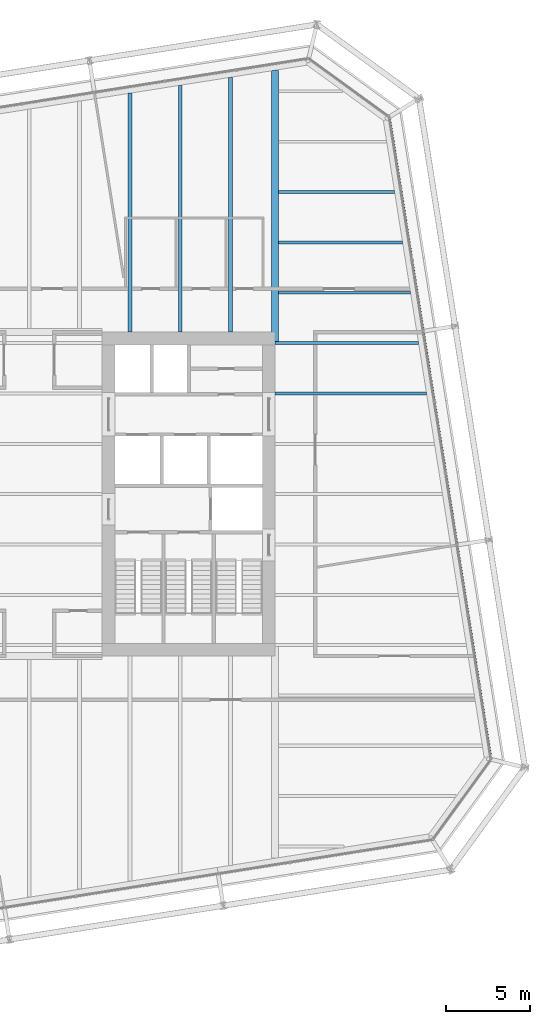
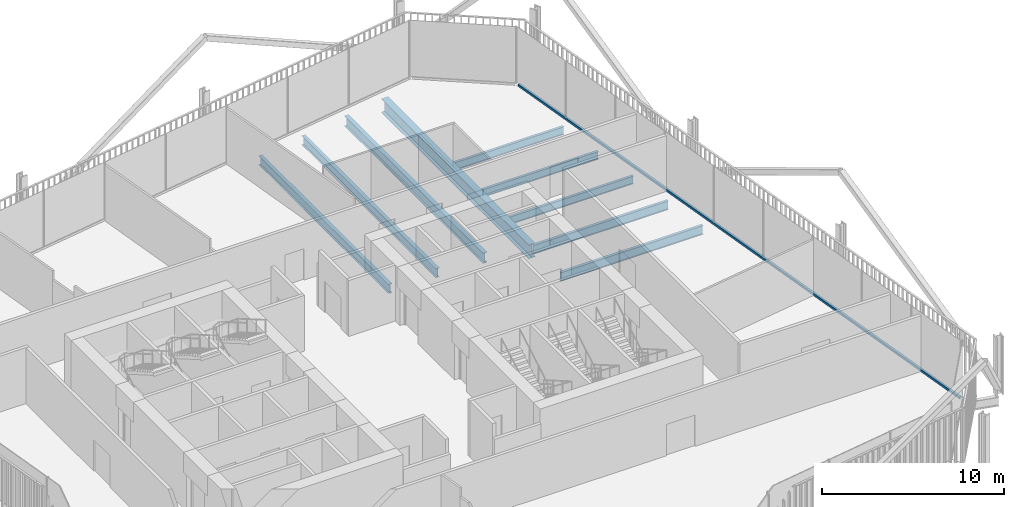
# One storey, part 14 of 22: 9 beams, 1 member, 1 element without a shape of its own.
"""IFC4 building model written with IfcOpenShell, lengths in metres."""

import ifcopenshell
import ifcopenshell.guid

model = None  # the IFC model being written
_history = None  # IfcOwnerHistory: only IFC2X3 demands one
_inside = {}  # id of a spatial element -> (the spatial element, [elements in it])
_under = {}  # id of a project, library or spatial element -> (it, [spatial elements below it])
_declared = {}  # id of a project -> (the project, [libraries it declares])
_typed = {}  # id of a type object -> (the type object, [elements of that type])
_made_of = {}  # id of a material, layer set ... -> (it, [elements and type objects made of it])


def new_model(schema):
    """Start an empty IFC model of exactly this schema.

    Asked for "IFC4X3", IfcOpenShell would pick the latest addendum, in which some entities
    have other attributes; the version numbers below select the first issue.
    IFC2X3 requires an IfcOwnerHistory on every rooted entity: one is made here for all.
    """
    global model, _history
    if schema == "IFC4X3":
        model = ifcopenshell.file(schema_version=(4, 3, 0, 0))
    else:
        model = ifcopenshell.file(schema=schema)
    _inside.clear()
    _under.clear()
    _declared.clear()
    _typed.clear()
    _made_of.clear()
    _history = None
    if model.schema == "IFC2X3":
        org = make("IfcOrganization", Name="unknown")
        user = make(
            "IfcPersonAndOrganization",
            ThePerson=make("IfcPerson", FamilyName="unknown"),
            TheOrganization=org,
        )
        app = make(
            "IfcApplication",
            ApplicationDeveloper=org,
            Version="unknown",
            ApplicationFullName="unknown",
            ApplicationIdentifier="unknown",
        )
        _history = make(
            "IfcOwnerHistory",
            OwningUser=user,
            OwningApplication=app,
            ChangeAction="ADDED",
            CreationDate=0,
        )
    return model


def make(cls, **values):
    """One entity of the class cls with the attributes given. An attribute that is None is left unset."""
    return model.create_entity(
        cls, **{name: value for name, value in values.items() if value is not None}
    )


def rooted(cls, **values):
    """An entity with a GlobalId (a new one), such as an element, a storey or a relation."""
    return make(cls, GlobalId=ifcopenshell.guid.new(), OwnerHistory=_history, **values)


def si_unit(unit_type, name, prefix=None):
    """IfcSIUnit, for example si_unit("LENGTHUNIT", "METRE", prefix="MILLI")."""
    return make("IfcSIUnit", UnitType=unit_type, Prefix=prefix, Name=name)


def assignment(units):
    """IfcUnitAssignment: the units of a project."""
    return None if units is None else make("IfcUnitAssignment", Units=units)


def point(xyz):
    """IfcCartesianPoint."""
    return None if xyz is None else make("IfcCartesianPoint", Coordinates=xyz)


def direction(xyz):
    """IfcDirection."""
    return None if xyz is None else make("IfcDirection", DirectionRatios=xyz)


def frame(location, z_axis=None, x_axis=None):
    """IfcAxis2Placement3D, a coordinate frame: its origin and axes. An axis left out is left unset."""
    return make(
        "IfcAxis2Placement3D",
        Location=point(location),
        Axis=direction(z_axis),
        RefDirection=direction(x_axis),
    )


def frame_2d(location, x_axis=None):
    """IfcAxis2Placement2D, a coordinate frame in the plane: its origin and x axis."""
    return make(
        "IfcAxis2Placement2D", Location=point(location), RefDirection=direction(x_axis)
    )


def origin():
    """The frame at (0, 0, 0) with its axes left unset."""
    return frame((0.0, 0.0, 0.0))


def origin_2d():
    """The frame at (0, 0) in the plane with its x axis left unset."""
    return frame_2d((0.0, 0.0))


def place(relative_to, where):
    """IfcLocalPlacement: puts the frame where relative to a parent placement (None: the world)."""
    return make(
        "IfcLocalPlacement", PlacementRelTo=relative_to, RelativePlacement=where
    )


def context(
    kind, dimensions, precision=None, world=None, true_north=None, identifier=None
):
    """IfcGeometricRepresentationContext, for example the 3D "Model" context."""
    return make(
        "IfcGeometricRepresentationContext",
        ContextIdentifier=identifier,
        ContextType=kind,
        CoordinateSpaceDimension=dimensions,
        Precision=precision,
        WorldCoordinateSystem=world,
        TrueNorth=true_north,
    )


def subcontext(parent, identifier, kind, view, scale=None):
    """IfcGeometricRepresentationSubContext, for example "Body" below "Model"."""
    return make(
        "IfcGeometricRepresentationSubContext",
        ContextIdentifier=identifier,
        ContextType=kind,
        ParentContext=parent,
        TargetScale=scale,
        TargetView=view,
    )


def project(units=None, contexts=None):
    """IfcProject with its units and contexts."""
    return rooted(
        "IfcProject",
        Name="project",
        RepresentationContexts=contexts,
        UnitsInContext=assignment(units),
    )


def spatial(cls, under=None, at=None, **own):
    """A site, building, storey or space (cls), placed at a placement, below another one or the project."""
    s = rooted(cls, ObjectPlacement=at, **own)
    if under is not None:
        _under.setdefault(under.id(), (under, []))[1].append(s)
    return s


def profile(cls, at=None, kind="AREA", **sizes):
    """A parametric profile (cls). Its sizes go by their IFC names, for example OverallWidth=200.0."""
    return make(cls, ProfileType=kind, Position=at, **sizes)


def rectangle(**sizes):
    """IfcRectangleProfileDef."""
    return profile("IfcRectangleProfileDef", **sizes)


def i_section(**sizes):
    """IfcIShapeProfileDef."""
    return profile("IfcIShapeProfileDef", **sizes)


def extrude(swept, where, along, depth):
    """IfcExtrudedAreaSolid: the profile swept, set in the frame where, extruded along a direction by depth."""
    return make(
        "IfcExtrudedAreaSolid",
        SweptArea=swept,
        Position=where,
        ExtrudedDirection=direction(along),
        Depth=depth,
    )


def shape(context_of_items, identifier, shape_type, items):
    """IfcShapeRepresentation: the items that make up one representation, for example the "Body"."""
    return make(
        "IfcShapeRepresentation",
        ContextOfItems=context_of_items,
        RepresentationIdentifier=identifier,
        RepresentationType=shape_type,
        Items=items,
    )


def material(Name=None, Category=None):
    """IfcMaterial."""
    return make("IfcMaterial", Name=Name, Category=Category)


def layer(
    of_material, thickness, ventilated=None, Name=None, Category=None, Priority=None
):
    """IfcMaterialLayer: one layer of a wall or slab, of a material (None: an air gap)."""
    return make(
        "IfcMaterialLayer",
        Material=of_material,
        LayerThickness=thickness,
        IsVentilated=ventilated,
        Name=Name,
        Category=Category,
        Priority=Priority,
    )


def layer_set(layers, Name=None):
    """IfcMaterialLayerSet."""
    return make("IfcMaterialLayerSet", MaterialLayers=layers, LayerSetName=Name)


def material_profile(
    of_material, cross_section, Name=None, Category=None, Priority=None
):
    """IfcMaterialProfile: a cross section and its material."""
    return make(
        "IfcMaterialProfile",
        Name=Name,
        Material=of_material,
        Profile=cross_section,
        Priority=Priority,
        Category=Category,
    )


def profile_set(profiles, Name=None, composite=None):
    """IfcMaterialProfileSet."""
    return make(
        "IfcMaterialProfileSet",
        Name=Name,
        MaterialProfiles=profiles,
        CompositeProfile=composite,
    )


def made_of(thing, what):
    """Note that an element or type object is made of a material, layer set ...; save() writes the relation."""
    if what is not None:
        _made_of.setdefault(what.id(), (what, []))[1].append(thing)
    return thing


def type_object(cls, material=None, **own):
    """A type object (cls), such as IfcWallType, which elements share."""
    return made_of(rooted(cls, **own), material)


def element(
    cls,
    number,
    at=None,
    inside=None,
    cuts=None,
    type_object=None,
    material=None,
    context=None,
    identifier="Body",
    shape_type=None,
    held_by="IfcProductDefinitionShape",
    body=None,
    shapes=None,
    **own,
):
    """One element of the class cls, such as IfcWall. Its Tag is "e" and its number.

    at: its placement. inside: the storey or other place that contains it. cuts: it is an
    opening in that element (IfcRelVoidsElement). A single representation is given by context,
    identifier, shape_type and body (its items); several are given by shapes. held_by: the class
    of the entity that holds the representations. save() writes the other relations.
    """
    e = rooted(cls, Tag="e%d" % number, ObjectPlacement=at, **own)
    if body is not None:
        shapes = [shape(context, identifier, shape_type, body)]
    if shapes is not None:
        e.Representation = make(held_by, Representations=shapes)
    if inside is not None:
        _inside.setdefault(inside.id(), (inside, []))[1].append(e)
    if cuts is not None:
        rooted(
            "IfcRelVoidsElement", RelatingBuildingElement=cuts, RelatedOpeningElement=e
        )
    if type_object is not None:
        _typed.setdefault(type_object.id(), (type_object, []))[1].append(e)
    return made_of(e, material)


def aggregate(whole, parts):
    """IfcRelAggregates: a whole, such as a stair, and the parts it consists of."""
    return rooted("IfcRelAggregates", RelatingObject=whole, RelatedObjects=parts)


def save(model, path):
    """Write the relations noted so far, then the file.

    IfcRelAggregates (storeys below a building ...), IfcRelContainedInSpatialStructure (elements
    in a storey), IfcRelDefinesByType, IfcRelAssociatesMaterial and IfcRelDeclares: one each for
    every whole, place, type object, material and project.
    """
    for whole, parts in _under.values():
        aggregate(whole, parts)
    for where, things in _inside.values():
        rooted(
            "IfcRelContainedInSpatialStructure",
            RelatedElements=things,
            RelatingStructure=where,
        )
    for kind, things in _typed.values():
        rooted("IfcRelDefinesByType", RelatedObjects=things, RelatingType=kind)
    for what, things in _made_of.values():
        rooted("IfcRelAssociatesMaterial", RelatedObjects=things, RelatingMaterial=what)
    for by, libraries in _declared.values():
        rooted("IfcRelDeclares", RelatingContext=by, RelatedDefinitions=libraries)
    model.write(path)


model = new_model("IFC4")

# Units and contexts
model_context = context("Model", 3, precision=1e-05, world=origin(), true_north=direction((0.0, 1.0)))
body_context = subcontext(model_context, "Body", "Model", "MODEL_VIEW")
ifc_project = project(units=[si_unit("LENGTHUNIT", "METRE"), si_unit("AREAUNIT", "SQUARE_METRE"), si_unit("VOLUMEUNIT", "CUBIC_METRE"), si_unit("PLANEANGLEUNIT", "RADIAN"), si_unit("MASSUNIT", "GRAM", prefix="KILO")], contexts=[model_context])

# Site, building, storey
site_placement = place(None, origin())
site = spatial("IfcSite", under=ifc_project, at=site_placement, CompositionType="ELEMENT")
building_placement = place(site_placement, origin())
building = spatial("IfcBuilding", under=site, at=building_placement, Name="Millrace Tower", CompositionType="ELEMENT")
storey_placement = place(building_placement, frame((0.0, 0.0, 152.89990234375)))
storey = spatial("IfcBuildingStorey", under=building, at=storey_placement, Name="L34", CompositionType="ELEMENT", Elevation=152.89990234375)

# Curtain wall, member
ifc_material_1 = material(Name="Aluminium and glass", Category="aluminium")
ifc_layer = layer(ifc_material_1, 0.14990234375)
ifc_layer_set = layer_set([ifc_layer], Name="Aluminium and glass")
curtain_wall_type = type_object("IfcCurtainWallType", Name="CW-1 office vision curtain wall", PredefinedType="NOTDEFINED", material=ifc_layer_set)
curtain_wall_placement = place(storey_placement, origin())
curtain_wall = element("IfcCurtainWall", 1, at=curtain_wall_placement, inside=storey, type_object=curtain_wall_type, Name="Curtain wall C-F04 L34", PredefinedType="NOTDEFINED")
ifc_material_2 = material(Name="Aluminium", Category="aluminium")
ifc_material_profile_1 = material_profile(ifc_material_2, rectangle(XDim=0.14990234375, YDim=0.139892578125, at=origin_2d()))
ifc_profile_set_1 = profile_set([ifc_material_profile_1], Name="Aluminium")
member_type = type_object("IfcMemberType", Name="CW-1 office vision curtain wall transom", PredefinedType="USERDEFINED", material=ifc_profile_set_1)
member_placement = place(storey_placement, frame((27.49609375, -15.675048828125, 0.070068359375), z_axis=(-0.156434402447, 0.987688350509, 0.0), x_axis=(-0.987688350509, -0.156434402447, 0.0)))
member = element("IfcMember", 2, at=member_placement, type_object=member_type, Name="CW1 transom C-F04.1", ObjectType="TRANSOM", PredefinedType="USERDEFINED", context=body_context, shape_type="SweptSolid", body=[
    extrude(rectangle(XDim=0.14990234375, YDim=0.139892578125, at=origin_2d()), origin(), (0.0, 0.0, 1.0), 38.499755859375),
])
aggregate(curtain_wall, [member])

# Beams
ifc_material_3 = material(Name="Steel ASTM A992 Grade 50", Category="steel")
ifc_material_profile_2 = material_profile(ifc_material_3, i_section(OverallWidth=0.1650390625, OverallDepth=0.52587890625, WebThickness=0.0087890625, FlangeThickness=0.011474609375, FilletRadius=0.0126953125, at=origin_2d()))
ifc_profile_set_2 = profile_set([ifc_material_profile_2], Name="Steel ASTM A992 Grade 50")
beam_type_1 = type_object("IfcBeamType", Name="Floor beam W21x44", PredefinedType="JOIST", material=ifc_profile_set_2)
beam_1_placement = place(storey_placement, frame((14.859619140625, 12.0, -0.4228515625), z_axis=(1.0, 0.0, 0.0), x_axis=(0.0, 1.0, 0.0)))
element("IfcBeam", 3, at=beam_1_placement, inside=storey, type_object=beam_type_1, Name="BM-C-L34-S1-S032", PredefinedType="JOIST", context=body_context, shape_type="SweptSolid", body=[
    extrude(i_section(OverallWidth=0.1650390625, OverallDepth=0.52587890625, WebThickness=0.0087890625, FlangeThickness=0.011474609375, FilletRadius=0.0126953125, at=origin_2d()), origin(), (0.0, 0.0, 1.0), 7.8662109375),
])
beam_2_placement = place(storey_placement, frame((14.859619140625, 15.0, -0.4228515625), z_axis=(1.0, 0.0, 0.0), x_axis=(0.0, 1.0, 0.0)))
element("IfcBeam", 4, at=beam_2_placement, inside=storey, type_object=beam_type_1, Name="BM-C-L34-S1-S034", PredefinedType="JOIST", context=body_context, shape_type="SweptSolid", body=[
    extrude(i_section(OverallWidth=0.1650390625, OverallDepth=0.52587890625, WebThickness=0.0087890625, FlangeThickness=0.011474609375, FilletRadius=0.0126953125, at=origin_2d()), origin(), (0.0, 0.0, 1.0), 7.390869140625),
])
beam_3_placement = place(storey_placement, frame((14.859619140625, 18.0, -0.4228515625), z_axis=(1.0, 0.0, 0.0), x_axis=(0.0, 1.0, 0.0)))
element("IfcBeam", 5, at=beam_3_placement, inside=storey, type_object=beam_type_1, Name="BM-C-L34-S1-S036", PredefinedType="JOIST", context=body_context, shape_type="SweptSolid", body=[
    extrude(i_section(OverallWidth=0.1650390625, OverallDepth=0.52587890625, WebThickness=0.0087890625, FlangeThickness=0.011474609375, FilletRadius=0.0126953125, at=origin_2d()), origin(), (0.0, 0.0, 1.0), 6.915771484375),
])
ifc_material_4 = material(Name="Steel ASTM A992 Grade 50", Category="steel")
ifc_material_profile_3 = material_profile(ifc_material_4, i_section(OverallWidth=0.177978515625, OverallDepth=0.599365234375, WebThickness=0.010009765625, FlangeThickness=0.012939453125, FilletRadius=0.012939453125, at=origin_2d()))
ifc_profile_set_3 = profile_set([ifc_material_profile_3], Name="Steel ASTM A992 Grade 50")
beam_type_2 = type_object("IfcBeamType", Name="Floor beam W24x55", PredefinedType="JOIST", material=ifc_profile_set_3)
beam_4_placement = place(storey_placement, frame((14.64990234375, 6.0, -0.459716796875), z_axis=(1.0, 0.0, 0.0), x_axis=(0.0, 1.0, 0.0)))
element("IfcBeam", 6, at=beam_4_placement, inside=storey, type_object=beam_type_2, Name="BM-C-L34-S1-S027", PredefinedType="JOIST", context=body_context, shape_type="SweptSolid", body=[
    extrude(i_section(OverallWidth=0.177978515625, OverallDepth=0.599365234375, WebThickness=0.010009765625, FlangeThickness=0.012939453125, FilletRadius=0.012939453125, at=origin_2d()), origin(), (0.0, 0.0, 1.0), 9.026123046875),
])
beam_5_placement = place(storey_placement, frame((14.64990234375, 9.0, -0.459716796875), z_axis=(1.0, 0.0, 0.0), x_axis=(0.0, 1.0, 0.0)))
element("IfcBeam", 7, at=beam_5_placement, inside=storey, type_object=beam_type_2, Name="BM-C-L34-S1-S030", PredefinedType="JOIST", context=body_context, shape_type="SweptSolid", body=[
    extrude(i_section(OverallWidth=0.177978515625, OverallDepth=0.599365234375, WebThickness=0.010009765625, FlangeThickness=0.012939453125, FilletRadius=0.012939453125, at=origin_2d()), origin(), (0.0, 0.0, 1.0), 8.551025390625),
])
ifc_material_5 = material(Name="Steel ASTM A992 Grade 50", Category="steel")
ifc_material_profile_4 = material_profile(ifc_material_5, i_section(OverallWidth=0.228271484375, OverallDepth=0.607177734375, WebThickness=0.01123046875, FlangeThickness=0.017333984375, FilletRadius=0.0126953125, at=origin_2d()))
ifc_profile_set_4 = profile_set([ifc_material_profile_4], Name="Steel ASTM A992 Grade 50")
beam_type_3 = type_object("IfcBeamType", Name="Floor beam W24x76", PredefinedType="JOIST", material=ifc_profile_set_4)
beam_6_placement = place(storey_placement, frame((6.0, 9.64990234375, -0.46337890625), z_axis=(0.0, 1.0, 0.0), x_axis=(-1.0, 0.0, 0.0)))
element("IfcBeam", 8, at=beam_6_placement, inside=storey, type_object=beam_type_3, Name="BM-C-L34-S1-S051", PredefinedType="JOIST", context=body_context, shape_type="SweptSolid", body=[
    extrude(i_section(OverallWidth=0.228271484375, OverallDepth=0.607177734375, WebThickness=0.01123046875, FlangeThickness=0.017333984375, FilletRadius=0.0126953125, at=origin_2d()), origin(), (0.0, 0.0, 1.0), 14.2421875),
])
beam_7_placement = place(storey_placement, frame((9.0, 9.64990234375, -0.46337890625), z_axis=(0.0, 1.0, 0.0), x_axis=(-1.0, 0.0, 0.0)))
element("IfcBeam", 9, at=beam_7_placement, inside=storey, type_object=beam_type_3, Name="BM-C-L34-S1-S053", PredefinedType="JOIST", context=body_context, shape_type="SweptSolid", body=[
    extrude(i_section(OverallWidth=0.228271484375, OverallDepth=0.607177734375, WebThickness=0.01123046875, FlangeThickness=0.017333984375, FilletRadius=0.0126953125, at=origin_2d()), origin(), (0.0, 0.0, 1.0), 14.71728515625),
])
ifc_material_6 = material(Name="Steel ASTM A992 Grade 50", Category="steel")
ifc_material_profile_5 = material_profile(ifc_material_6, i_section(OverallWidth=0.256591796875, OverallDepth=0.693359375, WebThickness=0.014404296875, FlangeThickness=0.023681640625, FilletRadius=0.01513671875, at=origin_2d()))
ifc_profile_set_5 = profile_set([ifc_material_profile_5], Name="Steel ASTM A992 Grade 50")
beam_type_4 = type_object("IfcBeamType", Name="Floor beam W27x114", PredefinedType="JOIST", material=ifc_profile_set_5)
beam_8_placement = place(storey_placement, frame((12.0, 9.64990234375, -0.506591796875), z_axis=(0.0, 1.0, 0.0), x_axis=(-1.0, 0.0, 0.0)))
element("IfcBeam", 10, at=beam_8_placement, inside=storey, type_object=beam_type_4, Name="BM-C-L34-S1-S055", PredefinedType="JOIST", context=body_context, shape_type="SweptSolid", body=[
    extrude(i_section(OverallWidth=0.256591796875, OverallDepth=0.693359375, WebThickness=0.014404296875, FlangeThickness=0.023681640625, FilletRadius=0.01513671875, at=origin_2d()), origin(), (0.0, 0.0, 1.0), 15.1923828125),
])
ifc_material_7 = material(Name="Steel ASTM A992 Grade 50", Category="steel")
ifc_material_profile_6 = material_profile(ifc_material_7, i_section(OverallWidth=0.419189453125, OverallDepth=0.927001953125, WebThickness=0.019287109375, FlangeThickness=0.031982421875, FilletRadius=0.024169921875, at=origin_2d()))
ifc_profile_set_6 = profile_set([ifc_material_profile_6], Name="Steel ASTM A992 Grade 50")
beam_type_5 = type_object("IfcBeamType", Name="Girder medium span W36x231", PredefinedType="BEAM", material=ifc_profile_set_6)
beam_9_placement = place(storey_placement, frame((14.64990234375, 9.090087890625, -0.62353515625), z_axis=(0.0, 1.0, 0.0), x_axis=(-1.0, 0.0, 0.0)))
element("IfcBeam", 11, at=beam_9_placement, inside=storey, type_object=beam_type_5, Name="BM-C-L34-S1-G059", PredefinedType="BEAM", context=body_context, shape_type="SweptSolid", body=[
    extrude(i_section(OverallWidth=0.419189453125, OverallDepth=0.927001953125, WebThickness=0.019287109375, FlangeThickness=0.031982421875, FilletRadius=0.024169921875, at=origin_2d()), origin(), (0.0, 0.0, 1.0), 16.1640625),
])

save(model, "model.ifc")
